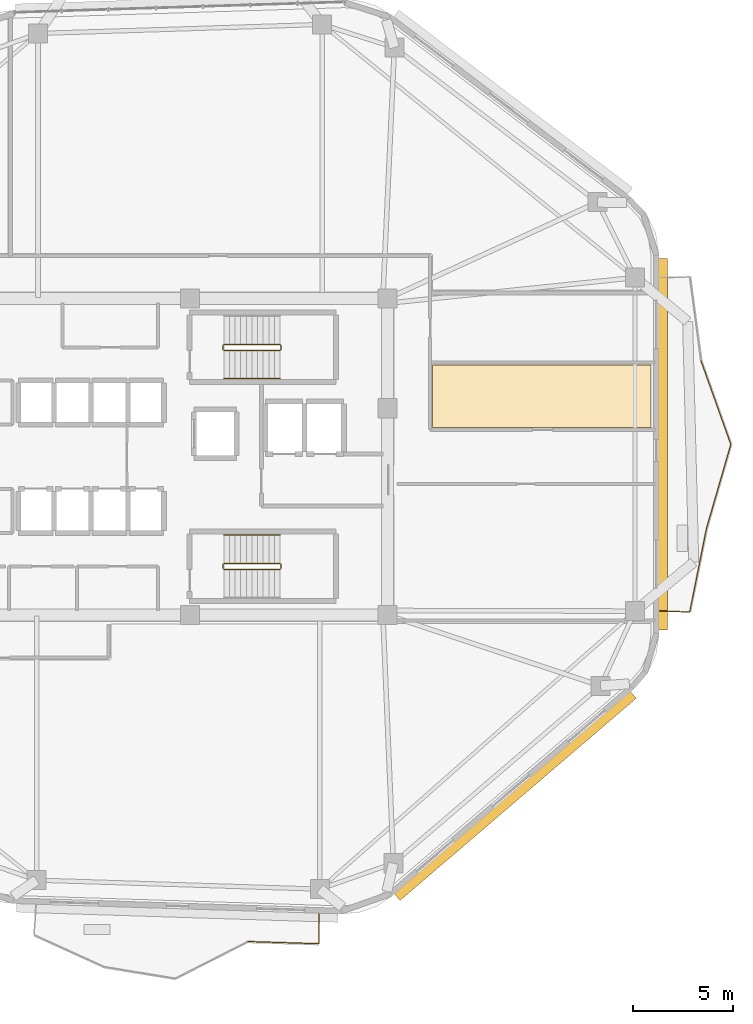
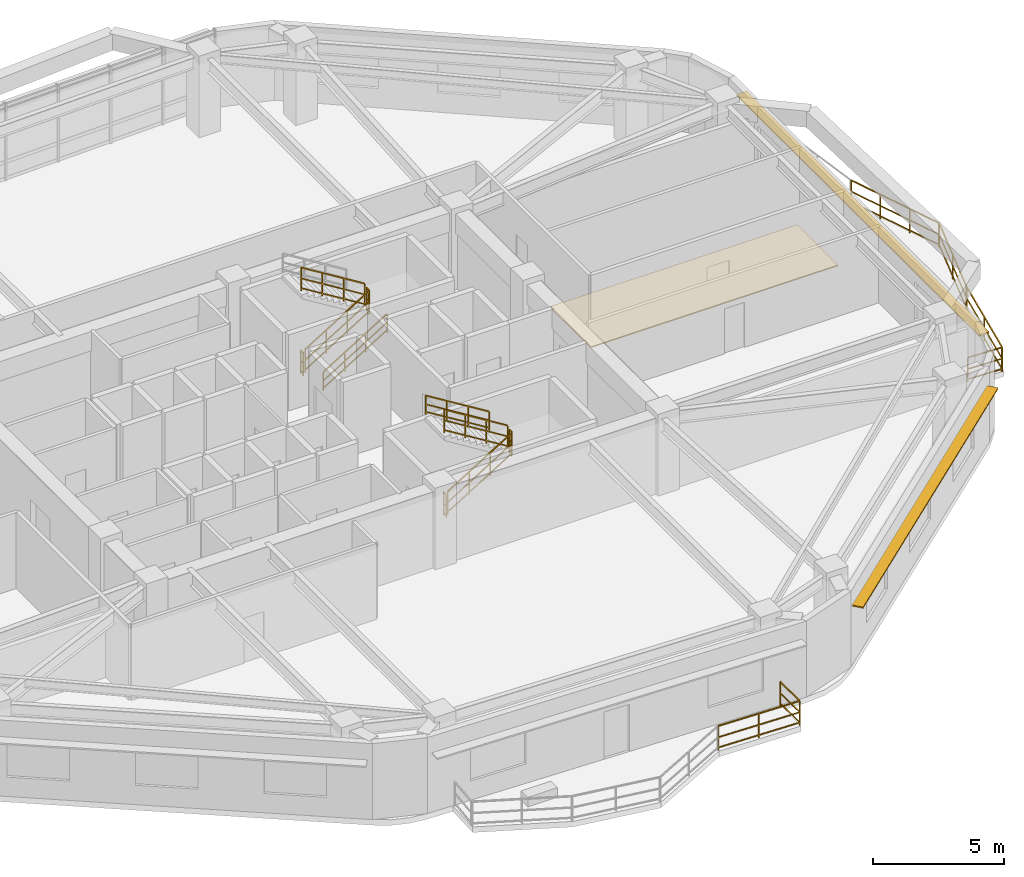
# One storey, part 11 of 12: 16 railings, 2 shading devices, 1 covering.
"""IFC4 building model written with IfcOpenShell, lengths in metres."""

from ifc_helpers import new_model, si_unit, direction, frame, origin, origin_2d, place, context, subcontext, project, spatial, polyline, rectangle, outline, extrude, material, layer, layer_set, type_object, element, save


model = new_model("IFC4")

# Units and contexts
model_context = context("Model", 3, precision=1e-05, world=origin(), true_north=direction((0.0, 1.0)))
body_context = subcontext(model_context, "Body", "Model", "MODEL_VIEW")
ifc_project = project(units=[si_unit("LENGTHUNIT", "METRE"), si_unit("AREAUNIT", "SQUARE_METRE"), si_unit("VOLUMEUNIT", "CUBIC_METRE"), si_unit("PLANEANGLEUNIT", "RADIAN"), si_unit("MASSUNIT", "GRAM", prefix="KILO")], contexts=[model_context])

# Site, building, storey
site_placement = place(None, origin())
site = spatial("IfcSite", under=ifc_project, at=site_placement, CompositionType="ELEMENT")
building_placement = place(site_placement, origin())
building = spatial("IfcBuilding", under=site, at=building_placement, Name="Zulverin Broadcast Headquarters", CompositionType="ELEMENT")
storey_placement = place(building_placement, frame((0.0, 0.0, 170.60009765625)))
storey = spatial("IfcBuildingStorey", under=building, at=storey_placement, Name="L43", CompositionType="ELEMENT", Elevation=170.60009765625)

# Covering
ifc_material_1 = material(Name="Anti-static broadcast raised access flooring", Category="stone")
ifc_layer_1 = layer(ifc_material_1, 0.050048828125, Name="Anti-static broadcast raised access flooring", Category="stone")
ifc_layer_set_1 = layer_set([ifc_layer_1], Name="Anti-static broadcast raised access flooring")
covering_type = type_object("IfcCoveringType", Name="COV-FLR-RAISED", PredefinedType="FLOORING", material=ifc_layer_set_1)
covering_placement = place(storey_placement, origin())
element("IfcCovering", 1, at=covering_placement, inside=storey, type_object=covering_type, Name="L43 Broadcast Raised Access Flooring 02", PredefinedType="FLOORING", context=body_context, shape_type="SweptSolid", body=[
    extrude(outline(polyline([(50.52001953125, 26.672119140625), (61.39990234375, 26.672119140625), (61.39990234375, 29.780029296875), (50.52001953125, 29.780029296875), (50.52001953125, 26.672119140625)])), origin(), (0.0, 0.0, 1.0), 0.0498046875),
])

# Railings
ifc_material_2 = material(Name="Brushed stainless steel & laminated glass balustrade", Category="steel")
railing_type_1 = type_object("IfcRailingType", Name="RL-GUARD-1150", PredefinedType="GUARDRAIL", material=ifc_material_2)
railing_1_placement = place(storey_placement, frame((61.840087890625, 17.529296875, 0.0)))
element("IfcRailing", 2, at=railing_1_placement, inside=storey, type_object=railing_type_1, Name="L43 Vertical-Forest Balcony Guardrail BAL_E Segment 01", PredefinedType="GUARDRAIL", context=body_context, shape_type="SweptSolid", body=[
    extrude(rectangle(XDim=0.048095703125, YDim=0.048095703125, at=origin_2d()), frame((0.0, 0.0, 1.1259765625), z_axis=(0.99918088253, -0.040466825742, 0.0), x_axis=(0.040466825742, 0.99918088253, 0.0)), (0.0, 0.0, 1.0), 1.466064453125),
    extrude(rectangle(XDim=0.0419921875, YDim=0.0419921875, at=origin_2d()), frame((0.0, 0.0, 0.597900390625), z_axis=(0.99918088253, -0.040466825742, 0.0), x_axis=(0.040466825742, 0.99918088253, 0.0)), (0.0, 0.0, 1.0), 1.466064453125),
    extrude(rectangle(XDim=0.0419921875, YDim=0.0419921875, at=origin_2d()), frame((0.0, 0.0, 0.1201171875), z_axis=(0.99918088253, -0.040466825742, 0.0), x_axis=(0.040466825742, 0.99918088253, 0.0)), (0.0, 0.0, 1.0), 1.466064453125),
    extrude(rectangle(XDim=0.0419921875, YDim=0.0419921875, at=origin_2d()), origin(), (0.0, 0.0, 1.0), 1.101806640625),
    extrude(rectangle(XDim=0.0419921875, YDim=0.0419921875, at=origin_2d()), frame((1.46484375, -0.059326171875, 0.0)), (0.0, 0.0, 1.0), 1.101806640625),
])
railing_2_placement = place(storey_placement, frame((63.322998046875, 17.48388671875, 0.0)))
element("IfcRailing", 3, at=railing_2_placement, inside=storey, type_object=railing_type_1, Name="L43 Vertical-Forest Balcony Guardrail BAL_E Segment 02", PredefinedType="GUARDRAIL", context=body_context, shape_type="SweptSolid", body=[
    extrude(rectangle(XDim=0.048095703125, YDim=0.048095703125, at=origin_2d()), frame((0.0, 0.0, 1.1259765625), z_axis=(0.197359269407, 0.980331229115, 0.0), x_axis=(-0.980331229115, 0.197359269407, 0.0)), (0.0, 0.0, 1.0), 4.2294921875),
    extrude(rectangle(XDim=0.0419921875, YDim=0.0419921875, at=origin_2d()), frame((0.0, 0.0, 0.597900390625), z_axis=(0.197359269407, 0.980331229115, 0.0), x_axis=(-0.980331229115, 0.197359269407, 0.0)), (0.0, 0.0, 1.0), 4.2294921875),
    extrude(rectangle(XDim=0.0419921875, YDim=0.0419921875, at=origin_2d()), frame((0.0, 0.0, 0.1201171875), z_axis=(0.197359269407, 0.980331229115, 0.0), x_axis=(-0.980331229115, 0.197359269407, 0.0)), (0.0, 0.0, 1.0), 4.2294921875),
    extrude(rectangle(XDim=0.0419921875, YDim=0.0419921875, at=origin_2d()), origin(), (0.0, 0.0, 1.0), 1.101806640625),
    extrude(rectangle(XDim=0.0419921875, YDim=0.0419921875, at=origin_2d()), frame((0.41748046875, 2.0732421875, 0.0)), (0.0, 0.0, 1.0), 1.101806640625),
    extrude(rectangle(XDim=0.0419921875, YDim=0.0419921875, at=origin_2d()), frame((0.834716796875, 4.146240234375, 0.0)), (0.0, 0.0, 1.0), 1.101806640625),
])
railing_3_placement = place(storey_placement, frame((64.1650390625, 21.6591796875, 0.0)))
element("IfcRailing", 4, at=railing_3_placement, inside=storey, type_object=railing_type_1, Name="L43 Vertical-Forest Balcony Guardrail BAL_E Segment 03", PredefinedType="GUARDRAIL", context=body_context, shape_type="SweptSolid", body=[
    extrude(rectangle(XDim=0.048095703125, YDim=0.048095703125, at=origin_2d()), frame((0.0, 0.0, 1.1259765625), z_axis=(0.278125360726, 0.960544784859, 0.0), x_axis=(-0.960544784859, 0.278125360726, 0.0)), (0.0, 0.0, 1.0), 4.317138671875),
    extrude(rectangle(XDim=0.0419921875, YDim=0.0419921875, at=origin_2d()), frame((0.0, 0.0, 0.597900390625), z_axis=(0.278125360726, 0.960544784859, 0.0), x_axis=(-0.960544784859, 0.278125360726, 0.0)), (0.0, 0.0, 1.0), 4.317138671875),
    extrude(rectangle(XDim=0.0419921875, YDim=0.0419921875, at=origin_2d()), frame((0.0, 0.0, 0.1201171875), z_axis=(0.278125360726, 0.960544784859, 0.0), x_axis=(-0.960544784859, 0.278125360726, 0.0)), (0.0, 0.0, 1.0), 4.317138671875),
    extrude(rectangle(XDim=0.0419921875, YDim=0.0419921875, at=origin_2d()), origin(), (0.0, 0.0, 1.0), 1.101806640625),
    extrude(rectangle(XDim=0.0419921875, YDim=0.0419921875, at=origin_2d()), frame((0.600341796875, 2.0732421875, 0.0)), (0.0, 0.0, 1.0), 1.101806640625),
    extrude(rectangle(XDim=0.0419921875, YDim=0.0419921875, at=origin_2d()), frame((1.20068359375, 4.146728515625, 0.0)), (0.0, 0.0, 1.0), 1.101806640625),
])
railing_4_placement = place(storey_placement, frame((65.364990234375, 25.83447265625, 0.0)))
element("IfcRailing", 5, at=railing_4_placement, inside=storey, type_object=railing_type_1, Name="L43 Vertical-Forest Balcony Guardrail BAL_E Segment 04", PredefinedType="GUARDRAIL", context=body_context, shape_type="SweptSolid", body=[
    extrude(rectangle(XDim=0.048095703125, YDim=0.048095703125, at=origin_2d()), frame((0.0, 0.0, 1.1259765625), z_axis=(-0.336248593327, 0.941773265434, 0.0), x_axis=(-0.941773265434, -0.336248593327, 0.0)), (0.0, 0.0, 1.0), 4.403564453125),
    extrude(rectangle(XDim=0.0419921875, YDim=0.0419921875, at=origin_2d()), frame((0.0, 0.0, 0.597900390625), z_axis=(-0.336248593327, 0.941773265434, 0.0), x_axis=(-0.941773265434, -0.336248593327, 0.0)), (0.0, 0.0, 1.0), 4.403564453125),
    extrude(rectangle(XDim=0.0419921875, YDim=0.0419921875, at=origin_2d()), frame((0.0, 0.0, 0.1201171875), z_axis=(-0.336248593327, 0.941773265434, 0.0), x_axis=(-0.941773265434, -0.336248593327, 0.0)), (0.0, 0.0, 1.0), 4.403564453125),
    extrude(rectangle(XDim=0.0419921875, YDim=0.0419921875, at=origin_2d()), origin(), (0.0, 0.0, 1.0), 1.101806640625),
    extrude(rectangle(XDim=0.0419921875, YDim=0.0419921875, at=origin_2d()), frame((-0.49365234375, 1.38232421875, 0.0)), (0.0, 0.0, 1.0), 1.101806640625),
    extrude(rectangle(XDim=0.0419921875, YDim=0.0419921875, at=origin_2d()), frame((-0.987060546875, 2.764892578125, 0.0)), (0.0, 0.0, 1.0), 1.101806640625),
    extrude(rectangle(XDim=0.0419921875, YDim=0.0419921875, at=origin_2d()), frame((-1.480712890625, 4.147216796875, 0.0)), (0.0, 0.0, 1.0), 1.101806640625),
])
railing_5_placement = place(storey_placement, frame((41.338134765625, 1.072021484375, 0.0)))
element("IfcRailing", 6, at=railing_5_placement, inside=storey, type_object=railing_type_1, Name="L43 Vertical-Forest Balcony Guardrail BAL_S Segment 05", PredefinedType="GUARDRAIL", context=body_context, shape_type="SweptSolid", body=[
    extrude(rectangle(XDim=0.048095703125, YDim=0.048095703125, at=origin_2d()), frame((0.0, 0.0, 1.1259765625), z_axis=(0.999498114007, -0.031678385332, 0.0), x_axis=(0.031678385332, 0.999498114007, 0.0)), (0.0, 0.0, 1.0), 3.52197265625),
    extrude(rectangle(XDim=0.0419921875, YDim=0.0419921875, at=origin_2d()), frame((0.0, 0.0, 0.597900390625), z_axis=(0.999498114007, -0.031678385332, 0.0), x_axis=(0.031678385332, 0.999498114007, 0.0)), (0.0, 0.0, 1.0), 3.52197265625),
    extrude(rectangle(XDim=0.0419921875, YDim=0.0419921875, at=origin_2d()), frame((0.0, 0.0, 0.1201171875), z_axis=(0.999498114007, -0.031678385332, 0.0), x_axis=(0.031678385332, 0.999498114007, 0.0)), (0.0, 0.0, 1.0), 3.52197265625),
    extrude(rectangle(XDim=0.0419921875, YDim=0.0419921875, at=origin_2d()), origin(), (0.0, 0.0, 1.0), 1.101806640625),
    extrude(rectangle(XDim=0.0419921875, YDim=0.0419921875, at=origin_2d()), frame((1.76025390625, -0.0556640625, 0.0)), (0.0, 0.0, 1.0), 1.101806640625),
    extrude(rectangle(XDim=0.0419921875, YDim=0.0419921875, at=origin_2d()), frame((3.520263671875, -0.111572265625, 0.0)), (0.0, 0.0, 1.0), 1.101806640625),
])
railing_6_placement = place(storey_placement, frame((44.873291015625, 0.97509765625, 0.0)))
element("IfcRailing", 7, at=railing_6_placement, inside=storey, type_object=railing_type_1, Name="L43 Vertical-Forest Balcony Guardrail BAL_S Segment 06", PredefinedType="GUARDRAIL", context=body_context, shape_type="SweptSolid", body=[
    extrude(rectangle(XDim=0.048095703125, YDim=0.048095703125, at=origin_2d()), frame((0.0, 0.0, 1.1259765625), z_axis=(-0.008659125807, 0.999962509067, 0.0), x_axis=(-0.999962509067, -0.008659125807, 0.0)), (0.0, 0.0, 1.0), 1.466064453125),
    extrude(rectangle(XDim=0.0419921875, YDim=0.0419921875, at=origin_2d()), frame((0.0, 0.0, 0.597900390625), z_axis=(-0.008659125807, 0.999962509067, 0.0), x_axis=(-0.999962509067, -0.008659125807, 0.0)), (0.0, 0.0, 1.0), 1.466064453125),
    extrude(rectangle(XDim=0.0419921875, YDim=0.0419921875, at=origin_2d()), frame((0.0, 0.0, 0.1201171875), z_axis=(-0.008659125807, 0.999962509067, 0.0), x_axis=(-0.999962509067, -0.008659125807, 0.0)), (0.0, 0.0, 1.0), 1.466064453125),
    extrude(rectangle(XDim=0.0419921875, YDim=0.0419921875, at=origin_2d()), origin(), (0.0, 0.0, 1.0), 1.101806640625),
    extrude(rectangle(XDim=0.0419921875, YDim=0.0419921875, at=origin_2d()), frame((-0.0126953125, 1.466064453125, 0.0)), (0.0, 0.0, 1.0), 1.101806640625),
])
ifc_material_3 = material(Name="Painted galvanized steel tubular guardrail S355JR", Category="steel")
railing_type_2 = type_object("IfcRailingType", Name="RL-ST-GUARD", PredefinedType="GUARDRAIL", material=ifc_material_3)
railing_7_placement = place(storey_placement, frame((40.1298828125, 30.5, 0.172607421875)))
element("IfcRailing", 8, at=railing_7_placement, inside=storey, type_object=railing_type_2, Name="L43 ST-1 stair guard 1", PredefinedType="GUARDRAIL", context=body_context, shape_type="SweptSolid", body=[
    extrude(rectangle(XDim=0.048095703125, YDim=0.048095703125, at=origin_2d()), frame((0.0, 0.0, 1.076171875), z_axis=(0.851089632645, 0.0, 0.525020415988), x_axis=(0.0, 1.0, 0.0)), (0.0, 0.0, 1.0), 3.2900390625),
    extrude(rectangle(XDim=0.0419921875, YDim=0.0419921875, at=origin_2d()), frame((0.0, 0.0, 0.572021484375), z_axis=(0.851089632645, 0.0, 0.525020415988), x_axis=(0.0, 1.0, 0.0)), (0.0, 0.0, 1.0), 3.2900390625),
    extrude(rectangle(XDim=0.0419921875, YDim=0.0419921875, at=origin_2d()), frame((0.0, 0.0, 0.1201171875), z_axis=(0.851089632645, 0.0, 0.525020415988), x_axis=(0.0, 1.0, 0.0)), (0.0, 0.0, 1.0), 3.2900390625),
    extrude(rectangle(XDim=0.0419921875, YDim=0.0419921875, at=origin_2d()), origin(), (0.0, 0.0, 1.0), 1.052001953125),
    extrude(rectangle(XDim=0.0419921875, YDim=0.0419921875, at=origin_2d()), frame((0.933349609375, 0.0, 0.57568359375)), (0.0, 0.0, 1.0), 1.052001953125),
    extrude(rectangle(XDim=0.0419921875, YDim=0.0419921875, at=origin_2d()), frame((1.86669921875, 0.0, 1.151611328125)), (0.0, 0.0, 1.0), 1.052001953125),
    extrude(rectangle(XDim=0.0419921875, YDim=0.0419921875, at=origin_2d()), frame((2.800048828125, 0.0, 1.727294921875)), (0.0, 0.0, 1.0), 1.052001953125),
])
railing_8_placement = place(storey_placement, frame((42.97998046875, 30.550048828125, 1.89990234375)))
element("IfcRailing", 9, at=railing_8_placement, inside=storey, type_object=railing_type_2, Name="L43 ST-1 stair guard 2", PredefinedType="GUARDRAIL", context=body_context, shape_type="SweptSolid", body=[
    extrude(rectangle(XDim=0.048095703125, YDim=0.048095703125, at=origin_2d()), frame((0.0, 0.0, 1.076171875), z_axis=(0.0, 1.0, 0.0), x_axis=(-1.0, 0.0, 0.0)), (0.0, 0.0, 1.0), 0.199951171875),
    extrude(rectangle(XDim=0.0419921875, YDim=0.0419921875, at=origin_2d()), frame((0.0, 0.0, 0.572021484375), z_axis=(0.0, 1.0, 0.0), x_axis=(-1.0, 0.0, 0.0)), (0.0, 0.0, 1.0), 0.199951171875),
    extrude(rectangle(XDim=0.0419921875, YDim=0.0419921875, at=origin_2d()), frame((0.0, 0.0, 0.1201171875), z_axis=(0.0, 1.0, 0.0), x_axis=(-1.0, 0.0, 0.0)), (0.0, 0.0, 1.0), 0.199951171875),
    extrude(rectangle(XDim=0.0419921875, YDim=0.0419921875, at=origin_2d()), origin(), (0.0, 0.0, 1.0), 1.052001953125),
    extrude(rectangle(XDim=0.0419921875, YDim=0.0419921875, at=origin_2d()), frame((0.0, 0.199951171875, 0.0)), (0.0, 0.0, 1.0), 1.052001953125),
])
railing_9_placement = place(storey_placement, frame((42.929931640625, 30.800048828125, 2.072509765625)))
element("IfcRailing", 10, at=railing_9_placement, inside=storey, type_object=railing_type_2, Name="L43 ST-1 stair guard 3", PredefinedType="GUARDRAIL", context=body_context, shape_type="SweptSolid", body=[
    extrude(rectangle(XDim=0.048095703125, YDim=0.048095703125, at=origin_2d()), frame((0.0, 0.0, 1.076171875), z_axis=(-0.851089632645, 0.0, 0.525020415988), x_axis=(0.0, -1.0, 0.0)), (0.0, 0.0, 1.0), 3.2900390625),
    extrude(rectangle(XDim=0.0419921875, YDim=0.0419921875, at=origin_2d()), frame((0.0, 0.0, 0.572021484375), z_axis=(-0.851089632645, 0.0, 0.525020415988), x_axis=(0.0, -1.0, 0.0)), (0.0, 0.0, 1.0), 3.2900390625),
    extrude(rectangle(XDim=0.0419921875, YDim=0.0419921875, at=origin_2d()), frame((0.0, 0.0, 0.1201171875), z_axis=(-0.851089632645, 0.0, 0.525020415988), x_axis=(0.0, -1.0, 0.0)), (0.0, 0.0, 1.0), 3.2900390625),
    extrude(rectangle(XDim=0.0419921875, YDim=0.0419921875, at=origin_2d()), origin(), (0.0, 0.0, 1.0), 1.052001953125),
    extrude(rectangle(XDim=0.0419921875, YDim=0.0419921875, at=origin_2d()), frame((-0.933349609375, 0.0, 0.57568359375)), (0.0, 0.0, 1.0), 1.052001953125),
    extrude(rectangle(XDim=0.0419921875, YDim=0.0419921875, at=origin_2d()), frame((-1.86669921875, 0.0, 1.151611328125)), (0.0, 0.0, 1.0), 1.052001953125),
    extrude(rectangle(XDim=0.0419921875, YDim=0.0419921875, at=origin_2d()), frame((-2.800048828125, 0.0, 1.727294921875)), (0.0, 0.0, 1.0), 1.052001953125),
])
railing_10_placement = place(storey_placement, frame((40.080078125, 30.550048828125, 0.0)))
element("IfcRailing", 11, at=railing_10_placement, inside=storey, type_object=railing_type_2, Name="L43 ST-1 stair guard 4", PredefinedType="GUARDRAIL", context=body_context, shape_type="SweptSolid", body=[
    extrude(rectangle(XDim=0.048095703125, YDim=0.048095703125, at=origin_2d()), frame((0.0, 0.0, 1.076171875), z_axis=(0.0, 1.0, 0.0), x_axis=(-1.0, 0.0, 0.0)), (0.0, 0.0, 1.0), 0.199951171875),
    extrude(rectangle(XDim=0.0419921875, YDim=0.0419921875, at=origin_2d()), frame((0.0, 0.0, 0.572021484375), z_axis=(0.0, 1.0, 0.0), x_axis=(-1.0, 0.0, 0.0)), (0.0, 0.0, 1.0), 0.199951171875),
    extrude(rectangle(XDim=0.0419921875, YDim=0.0419921875, at=origin_2d()), frame((0.0, 0.0, 0.1201171875), z_axis=(0.0, 1.0, 0.0), x_axis=(-1.0, 0.0, 0.0)), (0.0, 0.0, 1.0), 0.199951171875),
    extrude(rectangle(XDim=0.0419921875, YDim=0.0419921875, at=origin_2d()), origin(), (0.0, 0.0, 1.0), 1.052001953125),
    extrude(rectangle(XDim=0.0419921875, YDim=0.0419921875, at=origin_2d()), frame((0.0, 0.199951171875, 0.0)), (0.0, 0.0, 1.0), 1.052001953125),
])
railing_11_placement = place(storey_placement, frame((40.1298828125, 19.60009765625, 0.172607421875)))
element("IfcRailing", 12, at=railing_11_placement, inside=storey, type_object=railing_type_2, Name="L43 ST-2 stair guard 1", PredefinedType="GUARDRAIL", context=body_context, shape_type="SweptSolid", body=[
    extrude(rectangle(XDim=0.048095703125, YDim=0.048095703125, at=origin_2d()), frame((0.0, 0.0, 1.076171875), z_axis=(0.851089632645, 0.0, 0.525020415988), x_axis=(0.0, 1.0, 0.0)), (0.0, 0.0, 1.0), 3.2900390625),
    extrude(rectangle(XDim=0.0419921875, YDim=0.0419921875, at=origin_2d()), frame((0.0, 0.0, 0.572021484375), z_axis=(0.851089632645, 0.0, 0.525020415988), x_axis=(0.0, 1.0, 0.0)), (0.0, 0.0, 1.0), 3.2900390625),
    extrude(rectangle(XDim=0.0419921875, YDim=0.0419921875, at=origin_2d()), frame((0.0, 0.0, 0.1201171875), z_axis=(0.851089632645, 0.0, 0.525020415988), x_axis=(0.0, 1.0, 0.0)), (0.0, 0.0, 1.0), 3.2900390625),
    extrude(rectangle(XDim=0.0419921875, YDim=0.0419921875, at=origin_2d()), origin(), (0.0, 0.0, 1.0), 1.052001953125),
    extrude(rectangle(XDim=0.0419921875, YDim=0.0419921875, at=origin_2d()), frame((0.933349609375, 0.0, 0.57568359375)), (0.0, 0.0, 1.0), 1.052001953125),
    extrude(rectangle(XDim=0.0419921875, YDim=0.0419921875, at=origin_2d()), frame((1.86669921875, 0.0, 1.151611328125)), (0.0, 0.0, 1.0), 1.052001953125),
    extrude(rectangle(XDim=0.0419921875, YDim=0.0419921875, at=origin_2d()), frame((2.800048828125, 0.0, 1.727294921875)), (0.0, 0.0, 1.0), 1.052001953125),
])
railing_12_placement = place(storey_placement, frame((42.97998046875, 19.64990234375, 1.89990234375)))
element("IfcRailing", 13, at=railing_12_placement, inside=storey, type_object=railing_type_2, Name="L43 ST-2 stair guard 2", PredefinedType="GUARDRAIL", context=body_context, shape_type="SweptSolid", body=[
    extrude(rectangle(XDim=0.048095703125, YDim=0.048095703125, at=origin_2d()), frame((0.0, 0.0, 1.076171875), z_axis=(0.0, 1.0, 0.0), x_axis=(-1.0, 0.0, 0.0)), (0.0, 0.0, 1.0), 0.2001953125),
    extrude(rectangle(XDim=0.0419921875, YDim=0.0419921875, at=origin_2d()), frame((0.0, 0.0, 0.572021484375), z_axis=(0.0, 1.0, 0.0), x_axis=(-1.0, 0.0, 0.0)), (0.0, 0.0, 1.0), 0.2001953125),
    extrude(rectangle(XDim=0.0419921875, YDim=0.0419921875, at=origin_2d()), frame((0.0, 0.0, 0.1201171875), z_axis=(0.0, 1.0, 0.0), x_axis=(-1.0, 0.0, 0.0)), (0.0, 0.0, 1.0), 0.2001953125),
    extrude(rectangle(XDim=0.0419921875, YDim=0.0419921875, at=origin_2d()), origin(), (0.0, 0.0, 1.0), 1.052001953125),
    extrude(rectangle(XDim=0.0419921875, YDim=0.0419921875, at=origin_2d()), frame((0.0, 0.2001953125, 0.0)), (0.0, 0.0, 1.0), 1.052001953125),
])
railing_13_placement = place(storey_placement, frame((42.929931640625, 19.89990234375, 2.072509765625)))
element("IfcRailing", 14, at=railing_13_placement, inside=storey, type_object=railing_type_2, Name="L43 ST-2 stair guard 3", PredefinedType="GUARDRAIL", context=body_context, shape_type="SweptSolid", body=[
    extrude(rectangle(XDim=0.048095703125, YDim=0.048095703125, at=origin_2d()), frame((0.0, 0.0, 1.076171875), z_axis=(-0.851089632645, 0.0, 0.525020415988), x_axis=(0.0, -1.0, 0.0)), (0.0, 0.0, 1.0), 3.2900390625),
    extrude(rectangle(XDim=0.0419921875, YDim=0.0419921875, at=origin_2d()), frame((0.0, 0.0, 0.572021484375), z_axis=(-0.851089632645, 0.0, 0.525020415988), x_axis=(0.0, -1.0, 0.0)), (0.0, 0.0, 1.0), 3.2900390625),
    extrude(rectangle(XDim=0.0419921875, YDim=0.0419921875, at=origin_2d()), frame((0.0, 0.0, 0.1201171875), z_axis=(-0.851089632645, 0.0, 0.525020415988), x_axis=(0.0, -1.0, 0.0)), (0.0, 0.0, 1.0), 3.2900390625),
    extrude(rectangle(XDim=0.0419921875, YDim=0.0419921875, at=origin_2d()), origin(), (0.0, 0.0, 1.0), 1.052001953125),
    extrude(rectangle(XDim=0.0419921875, YDim=0.0419921875, at=origin_2d()), frame((-0.933349609375, 0.0, 0.57568359375)), (0.0, 0.0, 1.0), 1.052001953125),
    extrude(rectangle(XDim=0.0419921875, YDim=0.0419921875, at=origin_2d()), frame((-1.86669921875, 0.0, 1.151611328125)), (0.0, 0.0, 1.0), 1.052001953125),
    extrude(rectangle(XDim=0.0419921875, YDim=0.0419921875, at=origin_2d()), frame((-2.800048828125, 0.0, 1.727294921875)), (0.0, 0.0, 1.0), 1.052001953125),
])
railing_14_placement = place(storey_placement, frame((40.080078125, 19.64990234375, 0.0)))
element("IfcRailing", 15, at=railing_14_placement, inside=storey, type_object=railing_type_2, Name="L43 ST-2 stair guard 4", PredefinedType="GUARDRAIL", context=body_context, shape_type="SweptSolid", body=[
    extrude(rectangle(XDim=0.048095703125, YDim=0.048095703125, at=origin_2d()), frame((0.0, 0.0, 1.076171875), z_axis=(0.0, 1.0, 0.0), x_axis=(-1.0, 0.0, 0.0)), (0.0, 0.0, 1.0), 0.2001953125),
    extrude(rectangle(XDim=0.0419921875, YDim=0.0419921875, at=origin_2d()), frame((0.0, 0.0, 0.572021484375), z_axis=(0.0, 1.0, 0.0), x_axis=(-1.0, 0.0, 0.0)), (0.0, 0.0, 1.0), 0.2001953125),
    extrude(rectangle(XDim=0.0419921875, YDim=0.0419921875, at=origin_2d()), frame((0.0, 0.0, 0.1201171875), z_axis=(0.0, 1.0, 0.0), x_axis=(-1.0, 0.0, 0.0)), (0.0, 0.0, 1.0), 0.2001953125),
    extrude(rectangle(XDim=0.0419921875, YDim=0.0419921875, at=origin_2d()), origin(), (0.0, 0.0, 1.0), 1.052001953125),
    extrude(rectangle(XDim=0.0419921875, YDim=0.0419921875, at=origin_2d()), frame((0.0, 0.2001953125, 0.0)), (0.0, 0.0, 1.0), 1.052001953125),
])
ifc_material_4 = material(Name="Brushed stainless steel 48 mm handrail", Category="steel")
railing_type_3 = type_object("IfcRailingType", Name="RL-ST-HAND", PredefinedType="HANDRAIL", material=ifc_material_4)
railing_15_placement = place(storey_placement, frame((40.1298828125, 29.10009765625, 0.172607421875)))
element("IfcRailing", 16, at=railing_15_placement, inside=storey, type_object=railing_type_3, Name="L43 ST-1 stair handrail 1", PredefinedType="HANDRAIL", context=body_context, shape_type="SweptSolid", body=[
    extrude(rectangle(XDim=0.048095703125, YDim=0.048095703125, at=origin_2d()), frame((0.0, 0.0, 0.8759765625), z_axis=(0.851089632645, 0.0, 0.525020415988), x_axis=(0.0, 1.0, 0.0)), (0.0, 0.0, 1.0), 3.2900390625),
    extrude(rectangle(XDim=0.0419921875, YDim=0.0419921875, at=origin_2d()), frame((0.0, 0.0, 0.468017578125), z_axis=(0.851089632645, 0.0, 0.525020415988), x_axis=(0.0, 1.0, 0.0)), (0.0, 0.0, 1.0), 3.2900390625),
    extrude(rectangle(XDim=0.0419921875, YDim=0.0419921875, at=origin_2d()), frame((0.0, 0.0, 0.1201171875), z_axis=(0.851089632645, 0.0, 0.525020415988), x_axis=(0.0, 1.0, 0.0)), (0.0, 0.0, 1.0), 3.2900390625),
    extrude(rectangle(XDim=0.0419921875, YDim=0.0419921875, at=origin_2d()), origin(), (0.0, 0.0, 1.0), 0.851806640625),
    extrude(rectangle(XDim=0.0419921875, YDim=0.0419921875, at=origin_2d()), frame((0.933349609375, 0.0, 0.57568359375)), (0.0, 0.0, 1.0), 0.851806640625),
    extrude(rectangle(XDim=0.0419921875, YDim=0.0419921875, at=origin_2d()), frame((1.86669921875, 0.0, 1.151611328125)), (0.0, 0.0, 1.0), 0.851806640625),
    extrude(rectangle(XDim=0.0419921875, YDim=0.0419921875, at=origin_2d()), frame((2.800048828125, 0.0, 1.727294921875)), (0.0, 0.0, 1.0), 0.851806640625),
])
railing_16_placement = place(storey_placement, frame((42.929931640625, 21.300048828125, 2.072509765625)))
element("IfcRailing", 17, at=railing_16_placement, inside=storey, type_object=railing_type_3, Name="L43 ST-2 stair handrail 2", PredefinedType="HANDRAIL", context=body_context, shape_type="SweptSolid", body=[
    extrude(rectangle(XDim=0.048095703125, YDim=0.048095703125, at=origin_2d()), frame((0.0, 0.0, 0.8759765625), z_axis=(-0.851089632645, 0.0, 0.525020415988), x_axis=(0.0, -1.0, 0.0)), (0.0, 0.0, 1.0), 3.2900390625),
    extrude(rectangle(XDim=0.0419921875, YDim=0.0419921875, at=origin_2d()), frame((0.0, 0.0, 0.468017578125), z_axis=(-0.851089632645, 0.0, 0.525020415988), x_axis=(0.0, -1.0, 0.0)), (0.0, 0.0, 1.0), 3.2900390625),
    extrude(rectangle(XDim=0.0419921875, YDim=0.0419921875, at=origin_2d()), frame((0.0, 0.0, 0.1201171875), z_axis=(-0.851089632645, 0.0, 0.525020415988), x_axis=(0.0, -1.0, 0.0)), (0.0, 0.0, 1.0), 3.2900390625),
    extrude(rectangle(XDim=0.0419921875, YDim=0.0419921875, at=origin_2d()), origin(), (0.0, 0.0, 1.0), 0.851806640625),
    extrude(rectangle(XDim=0.0419921875, YDim=0.0419921875, at=origin_2d()), frame((-0.933349609375, 0.0, 0.57568359375)), (0.0, 0.0, 1.0), 0.851806640625),
    extrude(rectangle(XDim=0.0419921875, YDim=0.0419921875, at=origin_2d()), frame((-1.86669921875, 0.0, 1.151611328125)), (0.0, 0.0, 1.0), 0.851806640625),
    extrude(rectangle(XDim=0.0419921875, YDim=0.0419921875, at=origin_2d()), frame((-2.800048828125, 0.0, 1.727294921875)), (0.0, 0.0, 1.0), 0.851806640625),
])

# Shading devices
ifc_material_5 = material(Name="Anodized pale-metal aluminium sunshade", Category="aluminium")
ifc_layer_2 = layer(ifc_material_5, 0.06005859375, Name="Anodized pale-metal aluminium sunshade", Category="aluminium")
ifc_layer_set_2 = layer_set([ifc_layer_2], Name="Anodized pale-metal aluminium sunshade")
shading_device_type = type_object("IfcShadingDeviceType", Name="SS-01_PALE_METAL_ALUMINIUM_SUNSHADE", PredefinedType="USERDEFINED", material=ifc_layer_set_2)
shading_device_1_placement = place(storey_placement, frame((54.638671875, 8.319091796875, 2.7099609375), z_axis=(0.0, 0.0, 1.0), x_axis=(0.759706154917, 0.650266528572, 0.0)))
element("IfcShadingDevice", 18, at=shading_device_1_placement, inside=storey, type_object=shading_device_type, Name="L43 Horizontal Pale-Metal Sunshade Band 2", ObjectType="SUNSHADE", PredefinedType="USERDEFINED", context=body_context, shape_type="SweptSolid", body=[
    extrude(rectangle(XDim=15.48095703125, YDim=0.449951171875, at=origin_2d()), origin(), (0.0, 0.0, 1.0), 0.06005859375),
])
shading_device_2_placement = place(storey_placement, frame((62.0, 25.8203125, 2.7099609375), z_axis=(0.0, 0.0, 1.0), x_axis=(0.0, 1.0, 0.0)))
element("IfcShadingDevice", 19, at=shading_device_2_placement, inside=storey, type_object=shading_device_type, Name="L43 Horizontal Pale-Metal Sunshade Band 3", ObjectType="SUNSHADE", PredefinedType="USERDEFINED", context=body_context, shape_type="SweptSolid", body=[
    extrude(rectangle(XDim=18.502197265625, YDim=0.449951171875, at=origin_2d()), origin(), (0.0, 0.0, 1.0), 0.06005859375),
])

save(model, "model.ifc")
